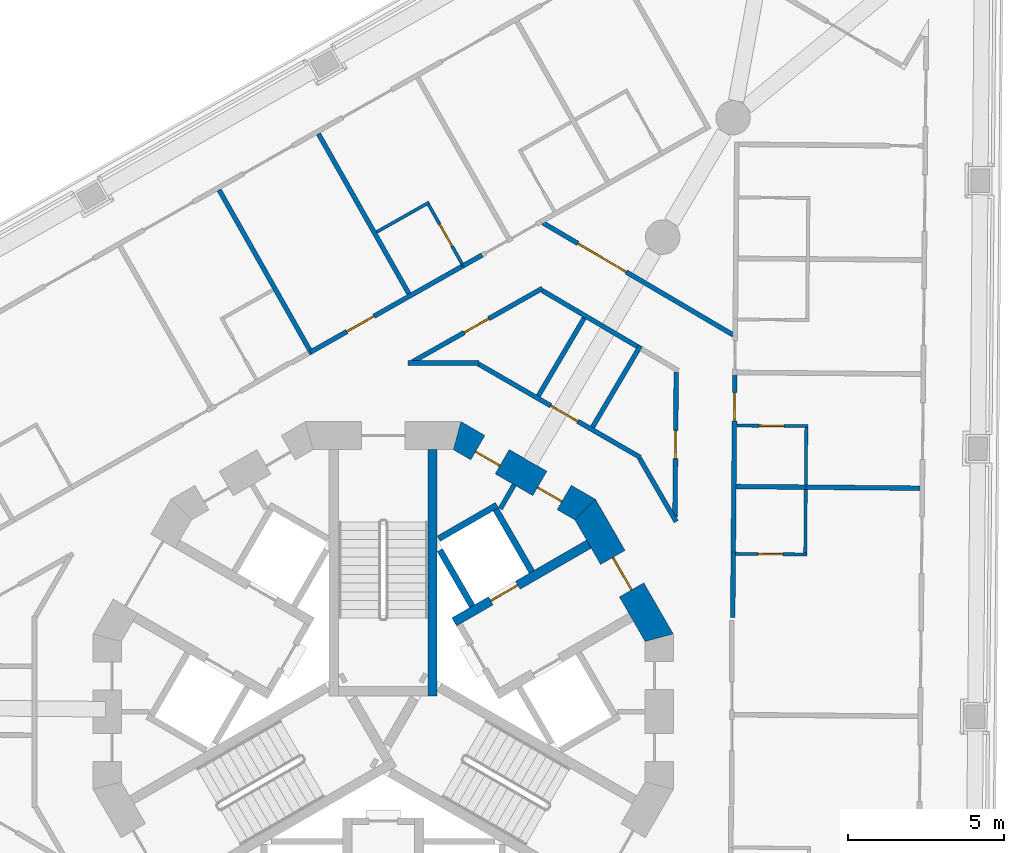
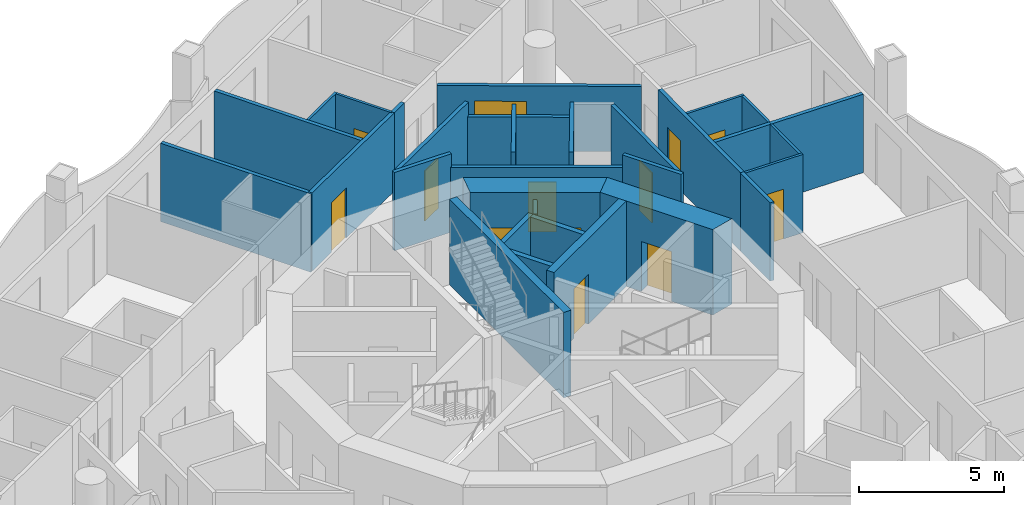
# One storey, part 9 of 18: 31 walls, 13 doors, 13 openings.
"""IFC4 building model written with IfcOpenShell, lengths in metres."""

from ifc_helpers import new_model, si_unit, direction, frame, frame_2d, origin, place, context, subcontext, project, spatial, polyline, rectangle, outline, extrude, material, layer, layer_set, type_object, element, fill, save


model = new_model("IFC4")

# Units and contexts
model_context = context("Model", 3, precision=1e-05, world=origin(), true_north=direction((0.0, 1.0)))
body_context = subcontext(model_context, "Body", "Model", "MODEL_VIEW")
ifc_project = project(units=[si_unit("LENGTHUNIT", "METRE"), si_unit("AREAUNIT", "SQUARE_METRE"), si_unit("VOLUMEUNIT", "CUBIC_METRE"), si_unit("PLANEANGLEUNIT", "RADIAN"), si_unit("MASSUNIT", "GRAM", prefix="KILO")], contexts=[model_context])

# Site, building, storey
site_placement = place(None, origin())
site = spatial("IfcSite", under=ifc_project, at=site_placement, CompositionType="ELEMENT")
building_placement = place(site_placement, origin())
building = spatial("IfcBuilding", under=site, at=building_placement, Name="Trine Commons Tower", CompositionType="ELEMENT")
storey_placement = place(building_placement, frame((0.0, 0.0, 175.5)))
storey = spatial("IfcBuildingStorey", under=building, at=storey_placement, Name="L45", CompositionType="ELEMENT", Elevation=175.5)

# Wall
ifc_material_1 = material(Name="Plasterboard partition on steel studs", Category="steel")
ifc_layer_1 = layer(ifc_material_1, 0.14990234375)
ifc_layer_set_1 = layer_set([ifc_layer_1], Name="Plasterboard partition on steel studs")
wall_type_1 = type_object("IfcWallType", Name="Core room partition 150 mm, EI 60", PredefinedType="PARTITIONING", material=ifc_layer_set_1)
wall_1_placement = place(storey_placement, frame((84.18603515625, 69.7509765625, 0.0), z_axis=(0.0, 0.0, 1.0), x_axis=(-0.499890179513, -0.866088799389, 0.0)))
element("IfcWall", 1, at=wall_1_placement, inside=storey, type_object=wall_type_1, Name="Core room partition L45", PredefinedType="PARTITIONING", context=body_context, shape_type="SweptSolid", body=[
    extrude(rectangle(XDim=0.882080078125, YDim=0.14990234375, at=frame_2d((0.44091796875, 0.0))), origin(), (0.0, 0.0, 1.0), 3.300048828125),
])

# Wall, opening, door
ifc_material_2 = material(Name="Concrete C60/75", Category="concrete")
ifc_layer_2 = layer(ifc_material_2, 0.300048828125)
ifc_layer_set_2 = layer_set([ifc_layer_2], Name="Concrete C60/75")
wall_type_2 = type_object("IfcWallType", Name="RC shear wall 300 mm, C60/75", PredefinedType="SHEAR", material=ifc_layer_set_2)
wall_2_placement = place(storey_placement, frame((82.26904296875, 65.368896484375, 0.0), z_axis=(0.0, 0.0, 1.0), x_axis=(0.865983655544, 0.500072303102, 0.0)))
wall_2 = element("IfcWall", 2, at=wall_2_placement, inside=storey, type_object=wall_type_2, Name="Core cross wall SWB-05 L45", PredefinedType="SHEAR", context=body_context, shape_type="SweptSolid", body=[
    extrude(rectangle(XDim=4.973388671875, YDim=0.300048828125, at=frame_2d((2.48681640625, 0.0))), origin(), (0.0, 0.0, 1.0), 3.60009765625),
])
opening_1_placement = place(wall_2_placement, frame((1.3505859375, 0.0, 0.0)))
opening_1 = element("IfcOpeningElement", 3, at=opening_1_placement, cuts=wall_2, Name="Opening LD5", PredefinedType="OPENING", context=body_context, shape_type="SweptSolid", body=[
    extrude(rectangle(XDim=1.0, YDim=2.10009765625, at=frame_2d((0.5, 1.050048828125))), frame((0.0, 0.159912109375, 0.0), z_axis=(0.0, -1.0, 0.0), x_axis=(1.0, 0.0, 0.0)), (0.0, 0.0, 1.0), 0.320068359375),
])
ifc_material_3 = material(Name="Stainless steel sliding door leaves", Category="steel")
door_type_1 = type_object("IfcDoorType", Name="Lift landing door, centre-opening sliding 1000 x 2100, FD90", OperationType="DOUBLE_DOOR_SLIDING", PredefinedType="DOOR", material=ifc_material_3)
door_1_placement = place(opening_1_placement, origin())
door_1 = element("IfcDoor", 4, at=door_1_placement, inside=storey, type_object=door_type_1, Name="Lift landing door HR1 L45", OperationType="DOUBLE_DOOR_SLIDING", OverallHeight=2.10009765625, OverallWidth=1.0, PredefinedType="DOOR", context=body_context, shape_type="SweptSolid", body=[
    extrude(rectangle(XDim=1.0, YDim=2.10009765625, at=frame_2d((0.5, 1.050048828125))), frame((0.0, 0.02490234375, 0.0), z_axis=(0.0, -1.0, 0.0), x_axis=(1.0, 0.0, 0.0)), (0.0, 0.0, 1.0), 0.050048828125),
])
fill(opening_1, door_1)

# Wall
wall_3_placement = place(storey_placement, frame((81.574951171875, 63.0009765625, 0.0), z_axis=(0.0, 0.0, 1.0), x_axis=(0.0, 1.0, 0.0)))
element("IfcWall", 5, at=wall_3_placement, inside=storey, type_object=wall_type_2, Name="Core cross wall SWB-17 L45", PredefinedType="SHEAR", context=body_context, shape_type="SweptSolid", body=[
    extrude(rectangle(XDim=7.8720703125, YDim=0.300048828125, at=frame_2d((3.93603515625, 0.0))), origin(), (0.0, 0.0, 1.0), 3.60009765625),
])

# Wall, opening, door
ifc_layer_3 = layer(ifc_material_2, 0.89990234375)
ifc_layer_set_3 = layer_set([ifc_layer_3], Name="Concrete C60/75")
wall_type_3 = type_object("IfcWallType", Name="RC shear wall 900 mm, C60/75", PredefinedType="SHEAR", material=ifc_layer_set_3)
wall_4_placement = place(storey_placement, frame((88.88330078125, 64.759765625, 0.0), z_axis=(0.0, 0.0, 1.0), x_axis=(-0.500038571144, 0.866003133579, 0.0)))
wall_4 = element("IfcWall", 6, at=wall_4_placement, inside=storey, type_object=wall_type_3, Name="Core wall CWE-02 L45", PredefinedType="SHEAR", context=body_context, shape_type="SweptSolid", body=[
    extrude(outline(polyline([(0.0, -0.449951171875), (4.96923828125, -0.449951171875), (4.72802734375, 0.449951171875), (0.2412109375, 0.449951171875), (0.0, -0.449951171875)])), origin(), (0.0, 0.0, 1.0), 3.60009765625),
])
opening_2_placement = place(wall_4_placement, frame((1.884521484375, 0.0, 0.0)))
opening_2 = element("IfcOpeningElement", 7, at=opening_2_placement, cuts=wall_4, Name="Opening K12.04", PredefinedType="OPENING", context=body_context, shape_type="SweptSolid", body=[
    extrude(rectangle(XDim=1.199951171875, YDim=2.10009765625, at=frame_2d((0.60009765625, 1.050048828125))), frame((0.0, 0.4599609375, 0.0), z_axis=(0.0, -1.0, 0.0), x_axis=(1.0, 0.0, 0.0)), (0.0, 0.0, 1.0), 0.919921875),
])
ifc_material_4 = material(Name="Steel door leaves, fire-rated", Category="steel")
door_type_2 = type_object("IfcDoorType", Name="Lobby door, double leaf 1200 x 2100, FD60", OperationType="DOUBLE_DOOR_SINGLE_SWING", PredefinedType="DOOR", material=ifc_material_4)
door_2_placement = place(opening_2_placement, origin())
door_2 = element("IfcDoor", 8, at=door_2_placement, inside=storey, type_object=door_type_2, Name="Lobby door, Passenger lift lobby A L45", OperationType="DOUBLE_DOOR_SINGLE_SWING", OverallHeight=2.10009765625, OverallWidth=1.199951171875, PredefinedType="DOOR", context=body_context, shape_type="SweptSolid", body=[
    extrude(rectangle(XDim=1.199951171875, YDim=2.10009765625, at=frame_2d((0.60009765625, 1.050048828125))), frame((0.0, 0.02490234375, 0.0), z_axis=(0.0, -1.0, 0.0), x_axis=(1.0, 0.0, 0.0)), (0.0, 0.0, 1.0), 0.050048828125),
])
fill(opening_2, door_2)

# Wall, openings, doors
wall_5_placement = place(storey_placement, frame((86.563232421875, 68.8984375, 0.0), z_axis=(0.0, 0.0, 1.0), x_axis=(-0.866003133579, 0.500038571144, 0.0)))
wall_5 = element("IfcWall", 9, at=wall_5_placement, inside=storey, type_object=wall_type_3, Name="Core wall CWE-03 L45", PredefinedType="SHEAR", context=body_context, shape_type="SweptSolid", body=[
    extrude(outline(polyline([(0.0, -0.449951171875), (4.96923828125, -0.449951171875), (4.72802734375, 0.449951171875), (0.2412109375, 0.449951171875), (0.0, -0.449951171875)])), origin(), (0.0, 0.0, 1.0), 3.60009765625),
])
opening_3_placement = place(wall_5_placement, frame((0.89599609375, 0.0, 0.0)))
opening_3 = element("IfcOpeningElement", 10, at=opening_3_placement, cuts=wall_5, Name="Opening K12.12", PredefinedType="OPENING", context=body_context, shape_type="SweptSolid", body=[
    extrude(rectangle(XDim=0.89990234375, YDim=2.10009765625, at=frame_2d((0.449951171875, 1.050048828125))), frame((0.0, 0.4599609375, 0.0), z_axis=(0.0, -1.0, 0.0), x_axis=(1.0, 0.0, 0.0)), (0.0, 0.0, 1.0), 0.919921875),
])
opening_4_placement = place(wall_5_placement, frame((3.18505859375, 0.0, 0.0)))
opening_4 = element("IfcOpeningElement", 11, at=opening_4_placement, cuts=wall_5, Name="Opening K12.13", PredefinedType="OPENING", context=body_context, shape_type="SweptSolid", body=[
    extrude(rectangle(XDim=0.89990234375, YDim=2.10009765625, at=frame_2d((0.449951171875, 1.050048828125))), frame((0.0, 0.4599609375, 0.0), z_axis=(0.0, -1.0, 0.0), x_axis=(1.0, 0.0, 0.0)), (0.0, 0.0, 1.0), 0.919921875),
])
ifc_material_5 = material(Name="Steel door leaf, fire-rated", Category="steel")
door_type_3 = type_object("IfcDoorType", Name="Core room door, single leaf 900 x 2100, FD30S", OperationType="SINGLE_SWING_LEFT", PredefinedType="DOOR", material=ifc_material_5)
door_3_placement = place(opening_3_placement, origin())
door_3 = element("IfcDoor", 12, at=door_3_placement, inside=storey, type_object=door_type_3, Name="Door to Parcel store L45", OperationType="SINGLE_SWING_LEFT", OverallHeight=2.10009765625, OverallWidth=0.89990234375, PredefinedType="DOOR", context=body_context, shape_type="SweptSolid", body=[
    extrude(rectangle(XDim=0.89990234375, YDim=2.10009765625, at=frame_2d((0.449951171875, 1.050048828125))), frame((0.0, 0.1748046875, 0.0), z_axis=(0.0, -1.0, 0.0), x_axis=(1.0, 0.0, 0.0)), (0.0, 0.0, 1.0), 0.050048828125),
])
fill(opening_3, door_3)
door_4_placement = place(opening_4_placement, origin())
door_4 = element("IfcDoor", 13, at=door_4_placement, inside=storey, type_object=door_type_3, Name="Door to Print room L45", OperationType="SINGLE_SWING_RIGHT", OverallHeight=2.10009765625, OverallWidth=0.89990234375, PredefinedType="DOOR", context=body_context, shape_type="SweptSolid", body=[
    extrude(rectangle(XDim=0.89990234375, YDim=2.10009765625, at=frame_2d((0.449951171875, 1.050048828125))), frame((0.0, 0.1748046875, 0.0), z_axis=(0.0, -1.0, 0.0), x_axis=(1.0, 0.0, 0.0)), (0.0, 0.0, 1.0), 0.050048828125),
])
fill(opening_4, door_4)

# Walls
ifc_material_6 = material(Name="Fire-rated gypsum shaft wall system")
ifc_layer_4 = layer(ifc_material_6, 0.199951171875)
ifc_layer_set_4 = layer_set([ifc_layer_4], Name="Fire-rated gypsum shaft wall system")
wall_type_4 = type_object("IfcWallType", Name="Shaft wall 200 mm, EI 120", PredefinedType="PARTITIONING", material=ifc_layer_set_4)
wall_6_placement = place(storey_placement, frame((81.77490234375, 68.028076171875, 0.0), z_axis=(0.0, 0.0, 1.0), x_axis=(0.866130725101, 0.499817533742, 0.0)))
element("IfcWall", 14, at=wall_6_placement, inside=storey, type_object=wall_type_4, Name="Shaft wall L45", PredefinedType="PARTITIONING", context=body_context, shape_type="SweptSolid", body=[
    extrude(rectangle(XDim=2.148681640625, YDim=0.199951171875, at=frame_2d((1.07421875, 0.0))), origin(), (0.0, 0.0, 1.0), 3.300048828125),
])
wall_7_placement = place(storey_placement, frame((82.843994140625, 65.8740234375, 0.0), z_axis=(0.0, 0.0, 1.0), x_axis=(-0.499865770674, 0.866102887253, 0.0)))
element("IfcWall", 15, at=wall_7_placement, inside=storey, type_object=wall_type_4, Name="Shaft wall L45", PredefinedType="PARTITIONING", context=body_context, shape_type="SweptSolid", body=[
    extrude(rectangle(XDim=2.064453125, YDim=0.199951171875, at=frame_2d((1.0322265625, 0.0))), origin(), (0.0, 0.0, 1.0), 3.300048828125),
])
wall_8_placement = place(storey_placement, frame((84.7490234375, 66.97412109375, 0.0), z_axis=(0.0, 0.0, 1.0), x_axis=(-0.500136062276, 0.86594683394, 0.0)))
element("IfcWall", 16, at=wall_8_placement, inside=storey, type_object=wall_type_4, Name="Shaft wall L45", PredefinedType="PARTITIONING", context=body_context, shape_type="SweptSolid", body=[
    extrude(rectangle(XDim=2.299072265625, YDim=0.199951171875, at=frame_2d((1.1494140625, 0.0))), origin(), (0.0, 0.0, 1.0), 3.300048828125),
])
ifc_material_7 = material(Name="Gypsum plasterboard on steel stud", Category="steel")
ifc_layer_5 = layer(ifc_material_7, 0.14990234375)
ifc_layer_set_5 = layer_set([ifc_layer_5], Name="Gypsum plasterboard on steel stud")
wall_type_5 = type_object("IfcWallType", Name="Unit and corridor wall 150 mm, EI 60", PredefinedType="PARTITIONING", material=ifc_layer_set_5)
wall_9_placement = place(storey_placement, frame((74.755615234375, 79.17724609375, 0.0), z_axis=(0.0, 0.0, 1.0), x_axis=(0.492372363177, -0.870384659779, 0.0)))
element("IfcWall", 17, at=wall_9_placement, inside=storey, type_object=wall_type_5, Name="Partition 054", PredefinedType="PARTITIONING", context=body_context, shape_type="SweptSolid", body=[
    extrude(rectangle(XDim=6.0244140625, YDim=0.14990234375, at=frame_2d((3.01220703125, 0.0))), origin(), (0.0, 0.0, 1.0), 3.300048828125),
])

# Wall, opening, door
wall_10_placement = place(storey_placement, frame((77.681884765625, 73.9970703125, 0.0), z_axis=(0.0, 0.0, 1.0), x_axis=(0.870307945002, 0.492507950055, 0.0)))
wall_10 = element("IfcWall", 18, at=wall_10_placement, inside=storey, type_object=wall_type_5, Name="Partition 062", PredefinedType="PARTITIONING", context=body_context, shape_type="SweptSolid", body=[
    extrude(rectangle(XDim=5.60400390625, YDim=0.14990234375, at=frame_2d((2.802001953125, 0.0))), origin(), (0.0, 0.0, 1.0), 3.300048828125),
])
opening_5_placement = place(wall_10_placement, frame((1.3271484375, 0.0, 0.0)))
opening_5 = element("IfcOpeningElement", 19, at=opening_5_placement, cuts=wall_10, Name="Opening D-5B11", PredefinedType="OPENING", context=body_context, shape_type="SweptSolid", body=[
    extrude(rectangle(XDim=1.0, YDim=2.10009765625, at=frame_2d((0.5, 1.050048828125))), frame((0.0, 0.0849609375, 0.0), z_axis=(0.0, -1.0, 0.0), x_axis=(1.0, 0.0, 0.0)), (0.0, 0.0, 1.0), 0.169921875),
])
ifc_material_8 = material(Name="Painted timber", Category="wood")
door_type_4 = type_object("IfcDoorType", Name="Amenity room door 1000 x 2100, NOT RATED", OperationType="NOTDEFINED", PredefinedType="DOOR", material=ifc_material_8)
door_5_placement = place(opening_5_placement, origin())
door_5 = element("IfcDoor", 20, at=door_5_placement, inside=storey, type_object=door_type_4, Name="Door D-5B11", OperationType="SINGLE_SWING_LEFT", OverallHeight=2.10009765625, OverallWidth=1.0, PredefinedType="DOOR", context=body_context, shape_type="SweptSolid", body=[
    extrude(rectangle(XDim=1.0, YDim=2.10009765625, at=frame_2d((0.5, 1.050048828125))), frame((0.0, 0.02490234375, 0.0), z_axis=(0.0, -1.0, 0.0), x_axis=(1.0, 0.0, 0.0)), (0.0, 0.0, 1.0), 0.050048828125),
])
fill(opening_5, door_5)

# Walls
wall_11_placement = place(storey_placement, frame((77.9296875, 80.97314453125, 0.0), z_axis=(0.0, 0.0, 1.0), x_axis=(0.4923790567, -0.870380873252, 0.0)))
element("IfcWall", 21, at=wall_11_placement, inside=storey, type_object=wall_type_5, Name="Partition 063", PredefinedType="PARTITIONING", context=body_context, shape_type="SweptSolid", body=[
    extrude(rectangle(XDim=5.874267578125, YDim=0.14990234375, at=frame_2d((2.93701171875, 0.0))), origin(), (0.0, 0.0, 1.0), 3.300048828125),
])
wall_12_placement = place(storey_placement, frame((80.79296875, 73.64794921875, 0.0), z_axis=(0.0, 0.0, 1.0), x_axis=(1.0, 0.0, 0.0)))
element("IfcWall", 22, at=wall_12_placement, inside=storey, type_object=wall_type_5, Name="Partition 072", PredefinedType="PARTITIONING", context=body_context, shape_type="SweptSolid", body=[
    extrude(rectangle(XDim=2.26904296875, YDim=0.14990234375, at=frame_2d((1.134521484375, 0.0))), origin(), (0.0, 0.0, 1.0), 3.300048828125),
])

# Wall, opening, door
wall_13_placement = place(storey_placement, frame((80.937255859375, 73.684814453125, 0.0), z_axis=(0.0, 0.0, 1.0), x_axis=(0.870319748897, 0.492487090876, 0.0)))
wall_13 = element("IfcWall", 23, at=wall_13_placement, inside=storey, type_object=wall_type_5, Name="Partition 073", PredefinedType="PARTITIONING", context=body_context, shape_type="SweptSolid", body=[
    extrude(rectangle(XDim=4.77197265625, YDim=0.14990234375, at=frame_2d((2.385986328125, 0.0))), origin(), (0.0, 0.0, 1.0), 3.300048828125),
])
opening_6_placement = place(wall_13_placement, frame((1.8984375, 0.0, 0.0)))
opening_6 = element("IfcOpeningElement", 24, at=opening_6_placement, cuts=wall_13, Name="Opening D-5B31", PredefinedType="OPENING", context=body_context, shape_type="SweptSolid", body=[
    extrude(rectangle(XDim=0.89990234375, YDim=2.10009765625, at=frame_2d((0.449951171875, 1.050048828125))), frame((0.0, 0.0849609375, 0.0), z_axis=(0.0, -1.0, 0.0), x_axis=(1.0, 0.0, 0.0)), (0.0, 0.0, 1.0), 0.169921875),
])
ifc_material_9 = material(Name="Timber fire door set", Category="wood")
door_type_5 = type_object("IfcDoorType", Name="Service door 900 x 2100, FD30S", OperationType="NOTDEFINED", PredefinedType="DOOR", material=ifc_material_9)
door_6_placement = place(opening_6_placement, frame((0.89990234375, 0.0, 0.0), z_axis=(0.0, 0.0, 1.0), x_axis=(-1.0, 0.0, 0.0)))
door_6 = element("IfcDoor", 25, at=door_6_placement, inside=storey, type_object=door_type_5, Name="Door D-5B31", OperationType="SINGLE_SWING_RIGHT", OverallHeight=2.10009765625, OverallWidth=0.89990234375, PredefinedType="DOOR", context=body_context, shape_type="SweptSolid", body=[
    extrude(rectangle(XDim=0.89990234375, YDim=2.10009765625, at=frame_2d((0.449951171875, 1.050048828125))), frame((0.0, 0.02490234375, 0.0), z_axis=(0.0, -1.0, 0.0), x_axis=(1.0, 0.0, 0.0)), (0.0, 0.0, 1.0), 0.050048828125),
])
fill(opening_6, door_6)

# Wall
wall_14_placement = place(storey_placement, frame((82.552978515625, 76.7529296875, 0.0), z_axis=(0.0, 0.0, 1.0), x_axis=(0.869982154761, 0.493083208391, 0.0)))
element("IfcWall", 26, at=wall_14_placement, inside=storey, type_object=wall_type_5, Name="Partition 077", PredefinedType="PARTITIONING", context=body_context, shape_type="SweptSolid", body=[
    extrude(rectangle(XDim=0.69775390625, YDim=0.14990234375, at=frame_2d((0.348876953125, 0.0))), origin(), (0.0, 0.0, 1.0), 3.300048828125),
])

# Wall, opening, door
wall_15_placement = place(storey_placement, frame((83.052001953125, 73.610595703125, 0.0), z_axis=(0.0, 0.0, 1.0), x_axis=(0.866039280689, -0.499975963725, 0.0)))
wall_15 = element("IfcWall", 27, at=wall_15_placement, inside=storey, type_object=wall_type_5, Name="Partition 079", PredefinedType="PARTITIONING", context=body_context, shape_type="SweptSolid", body=[
    extrude(rectangle(XDim=5.974365234375, YDim=0.14990234375, at=frame_2d((2.9873046875, 0.0))), origin(), (0.0, 0.0, 1.0), 2.75),
])
opening_7_placement = place(wall_15_placement, frame((2.6591796875, 0.0, 0.0)))
opening_7 = element("IfcOpeningElement", 28, at=opening_7_placement, cuts=wall_15, Name="Opening D-5B38", PredefinedType="OPENING", context=body_context, shape_type="SweptSolid", body=[
    extrude(rectangle(XDim=1.0, YDim=2.10009765625, at=frame_2d((0.5, 1.050048828125))), frame((0.0, 0.0849609375, 0.0), z_axis=(0.0, -1.0, 0.0), x_axis=(1.0, 0.0, 0.0)), (0.0, 0.0, 1.0), 0.169921875),
])
door_type_6 = type_object("IfcDoorType", Name="Toilet door 1000 x 2100, NOT RATED", OperationType="NOTDEFINED", PredefinedType="DOOR", material=ifc_material_8)
door_7_placement = place(opening_7_placement, origin())
door_7 = element("IfcDoor", 29, at=door_7_placement, inside=storey, type_object=door_type_6, Name="Door D-5B38", OperationType="SINGLE_SWING_RIGHT", OverallHeight=2.10009765625, OverallWidth=1.0, PredefinedType="DOOR", context=body_context, shape_type="SweptSolid", body=[
    extrude(rectangle(XDim=1.0, YDim=2.10009765625, at=frame_2d((0.5, 1.050048828125))), frame((0.0, 0.02490234375, 0.0), z_axis=(0.0, -1.0, 0.0), x_axis=(1.0, 0.0, 0.0)), (0.0, 0.0, 1.0), 0.050048828125),
])
fill(opening_7, door_7)

# Walls
wall_16_placement = place(storey_placement, frame((84.960205078125, 72.595703125, 0.0), z_axis=(0.0, 0.0, 1.0), x_axis=(0.507595999699, 0.861595207212, 0.0)))
element("IfcWall", 30, at=wall_16_placement, inside=storey, type_object=wall_type_5, Name="Partition 092", PredefinedType="PARTITIONING", context=body_context, shape_type="SweptSolid", body=[
    extrude(rectangle(XDim=2.8896484375, YDim=0.14990234375, at=frame_2d((1.44482421875, 0.0))), origin(), (0.0, 0.0, 1.0), 3.300048828125),
])
wall_17_placement = place(storey_placement, frame((85.089599609375, 75.9599609375, 0.0), z_axis=(0.0, 0.0, 1.0), x_axis=(0.861618447689, -0.507556549166, 0.0)))
element("IfcWall", 31, at=wall_17_placement, inside=storey, type_object=wall_type_5, Name="Partition 093", PredefinedType="PARTITIONING", context=body_context, shape_type="SweptSolid", body=[
    extrude(rectangle(XDim=3.599365234375, YDim=0.14990234375, at=frame_2d((1.7998046875, 0.0))), origin(), (0.0, 0.0, 1.0), 2.75),
])

# Wall, opening, door
wall_18_placement = place(storey_placement, frame((85.108642578125, 78.125, 0.0), z_axis=(0.0, 0.0, 1.0), x_axis=(0.861598717736, -0.507590040875, 0.0)))
wall_18 = element("IfcWall", 32, at=wall_18_placement, inside=storey, type_object=wall_type_5, Name="Partition 095", PredefinedType="PARTITIONING", context=body_context, shape_type="SweptSolid", body=[
    extrude(rectangle(XDim=7.056396484375, YDim=0.14990234375, at=frame_2d((3.5283203125, 0.0))), origin(), (0.0, 0.0, 1.0), 2.75),
])
opening_8_placement = place(wall_18_placement, frame((1.29296875, 0.0, 0.0)))
opening_8 = element("IfcOpeningElement", 33, at=opening_8_placement, cuts=wall_18, Name="Opening D-5B01", PredefinedType="OPENING", context=body_context, shape_type="SweptSolid", body=[
    extrude(rectangle(XDim=1.800048828125, YDim=2.10009765625, at=frame_2d((0.89990234375, 1.050048828125))), frame((0.0, 0.0849609375, 0.0), z_axis=(0.0, -1.0, 0.0), x_axis=(1.0, 0.0, 0.0)), (0.0, 0.0, 1.0), 0.169921875),
])
door_type_7 = type_object("IfcDoorType", Name="Cluster entrance door 1800 x 2100, double leaf, FD30S", OperationType="DOUBLE_DOOR_DOUBLE_SWING", PredefinedType="DOOR", material=ifc_material_9)
door_8_placement = place(opening_8_placement, origin())
door_8 = element("IfcDoor", 34, at=door_8_placement, inside=storey, type_object=door_type_7, Name="Door D-5B01", OperationType="DOUBLE_DOOR_DOUBLE_SWING", OverallHeight=2.10009765625, OverallWidth=1.800048828125, PredefinedType="DOOR", context=body_context, shape_type="SweptSolid", body=[
    extrude(rectangle(XDim=1.800048828125, YDim=2.10009765625, at=frame_2d((0.89990234375, 1.050048828125))), frame((0.0, 0.02490234375, 0.0), z_axis=(0.0, -1.0, 0.0), x_axis=(1.0, 0.0, 0.0)), (0.0, 0.0, 1.0), 0.050048828125),
])
fill(opening_8, door_8)

# Walls
wall_19_placement = place(storey_placement, frame((86.692138671875, 71.595703125, 0.0), z_axis=(0.0, 0.0, 1.0), x_axis=(0.507553107521, 0.861620475062, 0.0)))
element("IfcWall", 35, at=wall_19_placement, inside=storey, type_object=wall_type_5, Name="Partition 102", PredefinedType="PARTITIONING", context=body_context, shape_type="SweptSolid", body=[
    extrude(rectangle(XDim=3.022216796875, YDim=0.14990234375, at=frame_2d((1.51123046875, 0.0))), origin(), (0.0, 0.0, 1.0), 3.300048828125),
])
wall_20_placement = place(storey_placement, frame((88.198486328125, 70.595947265625, 0.0), z_axis=(0.0, 0.0, 1.0), x_axis=(0.500005931509, -0.866021979199, 0.0)))
element("IfcWall", 36, at=wall_20_placement, inside=storey, type_object=wall_type_5, Name="Partition 110", PredefinedType="PARTITIONING", context=body_context, shape_type="SweptSolid", body=[
    extrude(rectangle(XDim=2.3359375, YDim=0.14990234375, at=frame_2d((1.16796875, 0.0))), origin(), (0.0, 0.0, 1.0), 3.300048828125),
])

# Wall, opening, door
wall_21_placement = place(storey_placement, frame((89.32763671875, 68.716064453125, 0.0), z_axis=(0.0, 0.0, 1.0), x_axis=(0.008771592358, 0.999961528844, 0.0)))
wall_21 = element("IfcWall", 37, at=wall_21_placement, inside=storey, type_object=wall_type_5, Name="Partition 117", PredefinedType="PARTITIONING", context=body_context, shape_type="SweptSolid", body=[
    extrude(rectangle(XDim=4.648193359375, YDim=0.14990234375, at=frame_2d((2.32421875, 0.0))), origin(), (0.0, 0.0, 1.0), 3.300048828125),
])
opening_9_placement = place(wall_21_placement, frame((1.8740234375, 0.0, 0.0)))
opening_9 = element("IfcOpeningElement", 38, at=opening_9_placement, cuts=wall_21, Name="Opening D-5B33", PredefinedType="OPENING", context=body_context, shape_type="SweptSolid", body=[
    extrude(rectangle(XDim=0.89990234375, YDim=2.10009765625, at=frame_2d((0.449951171875, 1.050048828125))), frame((0.0, 0.0849609375, 0.0), z_axis=(0.0, -1.0, 0.0), x_axis=(1.0, 0.0, 0.0)), (0.0, 0.0, 1.0), 0.169921875),
])
door_9_placement = place(opening_9_placement, origin())
door_9 = element("IfcDoor", 39, at=door_9_placement, inside=storey, type_object=door_type_5, Name="Door D-5B33", OperationType="SINGLE_SWING_RIGHT", OverallHeight=2.10009765625, OverallWidth=0.89990234375, PredefinedType="DOOR", context=body_context, shape_type="SweptSolid", body=[
    extrude(rectangle(XDim=0.89990234375, YDim=2.10009765625, at=frame_2d((0.449951171875, 1.050048828125))), frame((0.0, 0.02490234375, 0.0), z_axis=(0.0, -1.0, 0.0), x_axis=(1.0, 0.0, 0.0)), (0.0, 0.0, 1.0), 0.050048828125),
])
fill(opening_9, door_9)

# Wall
wall_22_placement = place(storey_placement, frame((91.174560546875, 65.51611328125, 0.0), z_axis=(0.0, 0.0, 1.0), x_axis=(0.00854769709, 0.99996346777, 0.0)))
element("IfcWall", 40, at=wall_22_placement, inside=storey, type_object=wall_type_5, Name="Partition 131", PredefinedType="PARTITIONING", context=body_context, shape_type="SweptSolid", body=[
    extrude(rectangle(XDim=2.0849609375, YDim=0.14990234375, at=frame_2d((1.04248046875, 0.0))), origin(), (0.0, 0.0, 1.0), 3.300048828125),
])

# Wall, opening, door
wall_23_placement = place(storey_placement, frame((91.19189453125, 67.54296875, 0.0), z_axis=(0.0, 0.0, 1.0), x_axis=(0.008789667593, 0.999961370126, 0.0)))
wall_23 = element("IfcWall", 41, at=wall_23_placement, inside=storey, type_object=wall_type_5, Name="Partition 132", PredefinedType="PARTITIONING", context=body_context, shape_type="SweptSolid", body=[
    extrude(rectangle(XDim=5.80517578125, YDim=0.14990234375, at=frame_2d((2.902587890625, 0.0))), origin(), (0.0, 0.0, 1.0), 3.300048828125),
])
opening_10_placement = place(wall_23_placement, frame((4.254150390625, 0.0, 0.0)))
opening_10 = element("IfcOpeningElement", 42, at=opening_10_placement, cuts=wall_23, Name="Opening D-5B17", PredefinedType="OPENING", context=body_context, shape_type="SweptSolid", body=[
    extrude(rectangle(XDim=0.89990234375, YDim=2.10009765625, at=frame_2d((0.449951171875, 1.050048828125))), frame((0.0, 0.0849609375, 0.0), z_axis=(0.0, -1.0, 0.0), x_axis=(1.0, 0.0, 0.0)), (0.0, 0.0, 1.0), 0.169921875),
])
door_type_8 = type_object("IfcDoorType", Name="Bedroom door 900 x 2100, FD30S", OperationType="NOTDEFINED", PredefinedType="DOOR", material=ifc_material_9)
door_10_placement = place(opening_10_placement, frame((0.89990234375, 0.0, 0.0), z_axis=(0.0, 0.0, 1.0), x_axis=(-1.0, 0.0, 0.0)))
door_10 = element("IfcDoor", 43, at=door_10_placement, inside=storey, type_object=door_type_8, Name="Door D-5B17", OperationType="SINGLE_SWING_LEFT", OverallHeight=2.10009765625, OverallWidth=0.89990234375, PredefinedType="DOOR", context=body_context, shape_type="SweptSolid", body=[
    extrude(rectangle(XDim=0.89990234375, YDim=2.10009765625, at=frame_2d((0.449951171875, 1.050048828125))), frame((0.0, 0.02490234375, 0.0), z_axis=(0.0, -1.0, 0.0), x_axis=(1.0, 0.0, 0.0)), (0.0, 0.0, 1.0), 0.050048828125),
])
fill(opening_10, door_10)

# Walls
wall_24_placement = place(storey_placement, frame((91.285888671875, 69.6962890625, 0.0), z_axis=(0.0, 0.0, 1.0), x_axis=(0.999962435149, -0.008667657711, 0.0)))
element("IfcWall", 44, at=wall_24_placement, inside=storey, type_object=wall_type_5, Name="Partition 134", PredefinedType="PARTITIONING", context=body_context, shape_type="SweptSolid", body=[
    extrude(rectangle(XDim=2.22509765625, YDim=0.14990234375, at=frame_2d((1.112548828125, 0.0))), origin(), (0.0, 0.0, 1.0), 3.300048828125),
])
wall_25_placement = place(storey_placement, frame((93.510986328125, 69.677001953125, 0.0), z_axis=(0.0, 0.0, 1.0), x_axis=(0.999959811346, -0.008965249212, 0.0)))
element("IfcWall", 45, at=wall_25_placement, inside=storey, type_object=wall_type_5, Name="Partition 147", PredefinedType="PARTITIONING", context=body_context, shape_type="SweptSolid", body=[
    extrude(rectangle(XDim=3.649169921875, YDim=0.14990234375, at=frame_2d((1.82470703125, 0.0))), origin(), (0.0, 0.0, 1.0), 3.300048828125),
])
ifc_layer_6 = layer(ifc_material_7, 0.10009765625)
ifc_layer_set_6 = layer_set([ifc_layer_6], Name="Gypsum plasterboard on steel stud")
wall_type_6 = type_object("IfcWallType", Name="Unit partition 100 mm, no rating", PredefinedType="PARTITIONING", material=ifc_layer_set_6)
wall_26_placement = place(storey_placement, frame((79.792236328125, 77.833984375, 0.0), z_axis=(0.0, 0.0, 1.0), x_axis=(0.870428144139, 0.49229548636, 0.0)))
element("IfcWall", 46, at=wall_26_placement, inside=storey, type_object=wall_type_6, Name="Partition 067", PredefinedType="PARTITIONING", context=body_context, shape_type="SweptSolid", body=[
    extrude(rectangle(XDim=1.924560546875, YDim=0.10009765625, at=frame_2d((0.96240234375, 0.0))), origin(), (0.0, 0.0, 1.0), 3.300048828125),
])

# Wall, opening, door
wall_27_placement = place(storey_placement, frame((81.448486328125, 78.71337890625, 0.0), z_axis=(0.0, 0.0, 1.0), x_axis=(0.492207424062, -0.870477944406, 0.0)))
wall_27 = element("IfcWall", 47, at=wall_27_placement, inside=storey, type_object=wall_type_6, Name="Partition 075", PredefinedType="PARTITIONING", context=body_context, shape_type="SweptSolid", body=[
    extrude(rectangle(XDim=2.25, YDim=0.10009765625, at=frame_2d((1.125, 0.0))), origin(), (0.0, 0.0, 1.0), 3.300048828125),
])
opening_11_placement = place(wall_27_placement, frame((0.72509765625, 0.0, 0.0)))
opening_11 = element("IfcOpeningElement", 48, at=opening_11_placement, cuts=wall_27, Name="Opening D-5B44", PredefinedType="OPENING", context=body_context, shape_type="SweptSolid", body=[
    extrude(rectangle(XDim=0.800048828125, YDim=2.10009765625, at=frame_2d((0.39990234375, 1.050048828125))), frame((0.0, 0.06005859375, 0.0), z_axis=(0.0, -1.0, 0.0), x_axis=(1.0, 0.0, 0.0)), (0.0, 0.0, 1.0), 0.1201171875),
])
door_type_9 = type_object("IfcDoorType", Name="Internal door 800 x 2100, NOT RATED", OperationType="NOTDEFINED", PredefinedType="DOOR", material=ifc_material_8)
door_11_placement = place(opening_11_placement, origin())
door_11 = element("IfcDoor", 49, at=door_11_placement, inside=storey, type_object=door_type_9, Name="Door D-5B44", OperationType="SINGLE_SWING_RIGHT", OverallHeight=2.10009765625, OverallWidth=0.800048828125, PredefinedType="DOOR", context=body_context, shape_type="SweptSolid", body=[
    extrude(rectangle(XDim=0.800048828125, YDim=2.10009765625, at=frame_2d((0.39990234375, 1.050048828125))), frame((0.0, 0.02490234375, 0.0), z_axis=(0.0, -1.0, 0.0), x_axis=(1.0, 0.0, 0.0)), (0.0, 0.0, 1.0), 0.050048828125),
])
fill(opening_11, door_11)

wall_28_placement = place(storey_placement, frame((91.26806640625, 67.54638671875, 0.0), z_axis=(0.0, 0.0, 1.0), x_axis=(0.999962219299, -0.008692524121, 0.0)))
wall_28 = element("IfcWall", 50, at=wall_28_placement, inside=storey, type_object=wall_type_6, Name="Partition 133", PredefinedType="PARTITIONING", context=body_context, shape_type="SweptSolid", body=[
    extrude(rectangle(XDim=2.27490234375, YDim=0.10009765625, at=frame_2d((1.137451171875, 0.0))), origin(), (0.0, 0.0, 1.0), 3.300048828125),
])
opening_12_placement = place(wall_28_placement, frame((0.71240234375, 0.0, 0.0)))
opening_12 = element("IfcOpeningElement", 51, at=opening_12_placement, cuts=wall_28, Name="Opening D-5B50", PredefinedType="OPENING", context=body_context, shape_type="SweptSolid", body=[
    extrude(rectangle(XDim=0.800048828125, YDim=2.10009765625, at=frame_2d((0.39990234375, 1.050048828125))), frame((0.0, 0.06005859375, 0.0), z_axis=(0.0, -1.0, 0.0), x_axis=(1.0, 0.0, 0.0)), (0.0, 0.0, 1.0), 0.1201171875),
])
door_12_placement = place(opening_12_placement, frame((0.800048828125, 0.0, 0.0), z_axis=(0.0, 0.0, 1.0), x_axis=(-1.0, 0.0, 0.0)))
door_12 = element("IfcDoor", 52, at=door_12_placement, inside=storey, type_object=door_type_9, Name="Door D-5B50", OperationType="SINGLE_SWING_RIGHT", OverallHeight=2.10009765625, OverallWidth=0.800048828125, PredefinedType="DOOR", context=body_context, shape_type="SweptSolid", body=[
    extrude(rectangle(XDim=0.800048828125, YDim=2.10009765625, at=frame_2d((0.39990234375, 1.050048828125))), frame((0.0, 0.02490234375, 0.0), z_axis=(0.0, -1.0, 0.0), x_axis=(1.0, 0.0, 0.0)), (0.0, 0.0, 1.0), 0.050048828125),
])
fill(opening_12, door_12)

wall_29_placement = place(storey_placement, frame((91.303955078125, 71.646240234375, 0.0), z_axis=(0.0, 0.0, 1.0), x_axis=(0.999963114686, -0.008588903712, 0.0)))
wall_29 = element("IfcWall", 53, at=wall_29_placement, inside=storey, type_object=wall_type_6, Name="Partition 135", PredefinedType="PARTITIONING", context=body_context, shape_type="SweptSolid", body=[
    extrude(rectangle(XDim=2.27392578125, YDim=0.10009765625, at=frame_2d((1.136962890625, 0.0))), origin(), (0.0, 0.0, 1.0), 3.300048828125),
])
opening_13_placement = place(wall_29_placement, frame((0.7119140625, 0.0, 0.0)))
opening_13 = element("IfcOpeningElement", 54, at=opening_13_placement, cuts=wall_29, Name="Opening D-5B49", PredefinedType="OPENING", context=body_context, shape_type="SweptSolid", body=[
    extrude(rectangle(XDim=0.800048828125, YDim=2.10009765625, at=frame_2d((0.39990234375, 1.050048828125))), frame((0.0, 0.06005859375, 0.0), z_axis=(0.0, -1.0, 0.0), x_axis=(1.0, 0.0, 0.0)), (0.0, 0.0, 1.0), 0.1201171875),
])
door_13_placement = place(opening_13_placement, origin())
door_13 = element("IfcDoor", 55, at=door_13_placement, inside=storey, type_object=door_type_9, Name="Door D-5B49", OperationType="SINGLE_SWING_LEFT", OverallHeight=2.10009765625, OverallWidth=0.800048828125, PredefinedType="DOOR", context=body_context, shape_type="SweptSolid", body=[
    extrude(rectangle(XDim=0.800048828125, YDim=2.10009765625, at=frame_2d((0.39990234375, 1.050048828125))), frame((0.0, 0.02490234375, 0.0), z_axis=(0.0, -1.0, 0.0), x_axis=(1.0, 0.0, 0.0)), (0.0, 0.0, 1.0), 0.050048828125),
])
fill(opening_13, door_13)

# Walls
wall_30_placement = place(storey_placement, frame((93.493408203125, 67.576904296875, 0.0), z_axis=(0.0, 0.0, 1.0), x_axis=(0.008438518102, 0.999964395072, 0.0)))
element("IfcWall", 56, at=wall_30_placement, inside=storey, type_object=wall_type_6, Name="Partition 145", PredefinedType="PARTITIONING", context=body_context, shape_type="SweptSolid", body=[
    extrude(rectangle(XDim=2.025146484375, YDim=0.10009765625, at=frame_2d((1.0126953125, 0.0))), origin(), (0.0, 0.0, 1.0), 3.300048828125),
])
wall_31_placement = place(storey_placement, frame((93.51171875, 69.751953125, 0.0), z_axis=(0.0, 0.0, 1.0), x_axis=(0.008695323434, 0.999962194961, 0.0)))
element("IfcWall", 57, at=wall_31_placement, inside=storey, type_object=wall_type_6, Name="Partition 146", PredefinedType="PARTITIONING", context=body_context, shape_type="SweptSolid", body=[
    extrude(rectangle(XDim=1.824951171875, YDim=0.10009765625, at=frame_2d((0.91259765625, 0.0))), origin(), (0.0, 0.0, 1.0), 3.300048828125),
])

save(model, "model.ifc")
